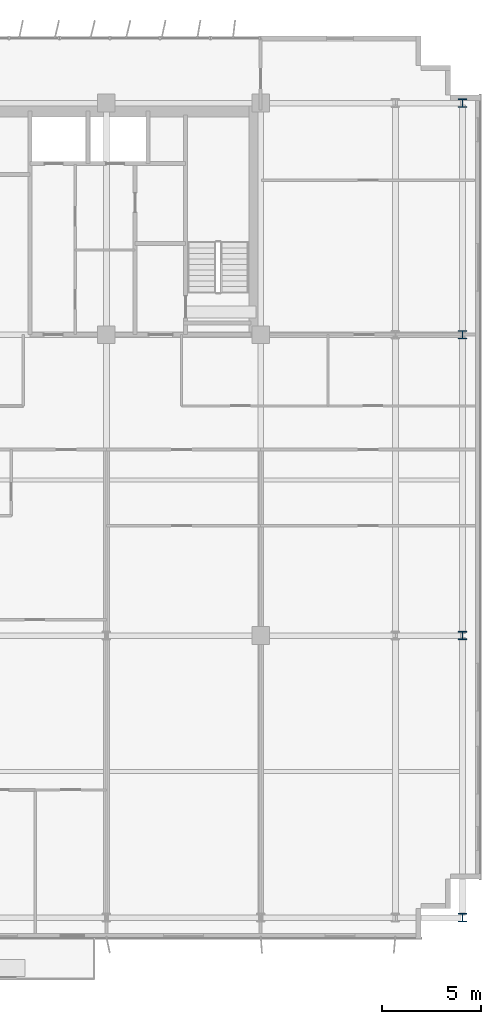
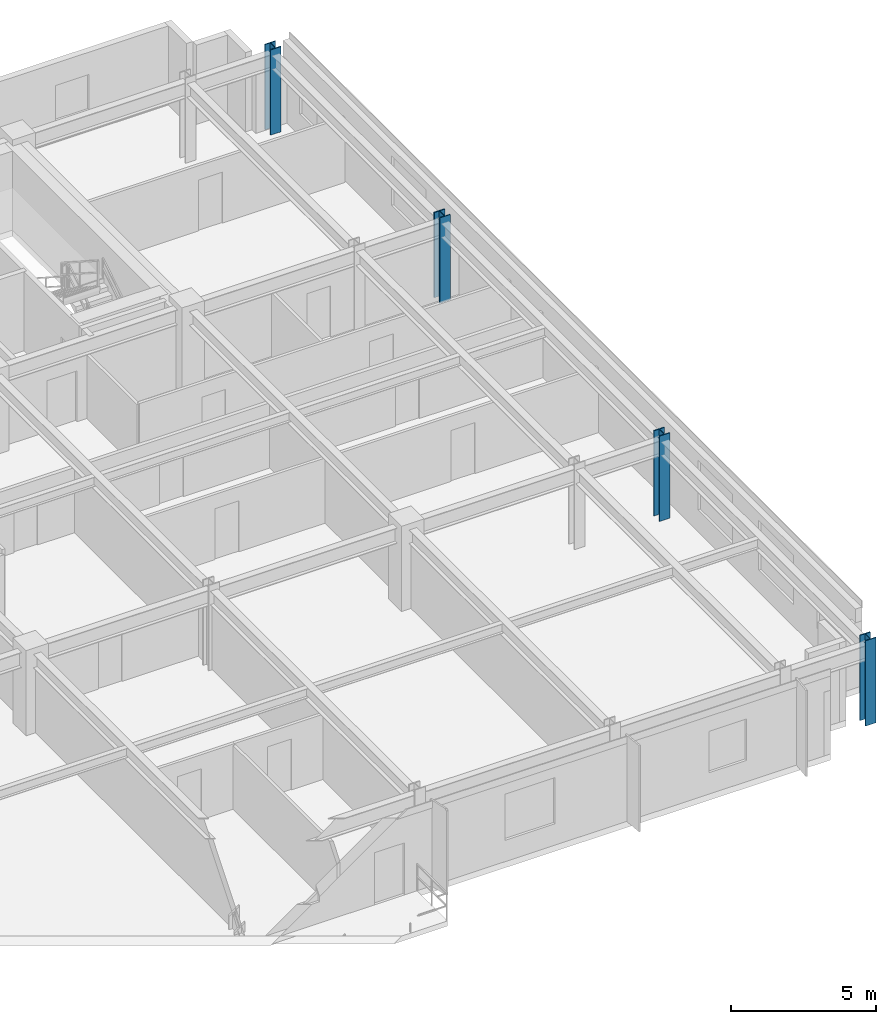
# One storey, part 3 of 25: 4 columns.
"""IFC4 building model written with IfcOpenShell, lengths in metres."""

import ifcopenshell
import ifcopenshell.guid

model = None  # the IFC model being written
_history = None  # IfcOwnerHistory: only IFC2X3 demands one
_inside = {}  # id of a spatial element -> (the spatial element, [elements in it])
_under = {}  # id of a project, library or spatial element -> (it, [spatial elements below it])
_declared = {}  # id of a project -> (the project, [libraries it declares])
_typed = {}  # id of a type object -> (the type object, [elements of that type])
_made_of = {}  # id of a material, layer set ... -> (it, [elements and type objects made of it])


def new_model(schema):
    """Start an empty IFC model of exactly this schema.

    Asked for "IFC4X3", IfcOpenShell would pick the latest addendum, in which some entities
    have other attributes; the version numbers below select the first issue.
    IFC2X3 requires an IfcOwnerHistory on every rooted entity: one is made here for all.
    """
    global model, _history
    if schema == "IFC4X3":
        model = ifcopenshell.file(schema_version=(4, 3, 0, 0))
    else:
        model = ifcopenshell.file(schema=schema)
    _inside.clear()
    _under.clear()
    _declared.clear()
    _typed.clear()
    _made_of.clear()
    _history = None
    if model.schema == "IFC2X3":
        org = make("IfcOrganization", Name="unknown")
        user = make(
            "IfcPersonAndOrganization",
            ThePerson=make("IfcPerson", FamilyName="unknown"),
            TheOrganization=org,
        )
        app = make(
            "IfcApplication",
            ApplicationDeveloper=org,
            Version="unknown",
            ApplicationFullName="unknown",
            ApplicationIdentifier="unknown",
        )
        _history = make(
            "IfcOwnerHistory",
            OwningUser=user,
            OwningApplication=app,
            ChangeAction="ADDED",
            CreationDate=0,
        )
    return model


def make(cls, **values):
    """One entity of the class cls with the attributes given. An attribute that is None is left unset."""
    return model.create_entity(
        cls, **{name: value for name, value in values.items() if value is not None}
    )


def rooted(cls, **values):
    """An entity with a GlobalId (a new one), such as an element, a storey or a relation."""
    return make(cls, GlobalId=ifcopenshell.guid.new(), OwnerHistory=_history, **values)


def si_unit(unit_type, name, prefix=None):
    """IfcSIUnit, for example si_unit("LENGTHUNIT", "METRE", prefix="MILLI")."""
    return make("IfcSIUnit", UnitType=unit_type, Prefix=prefix, Name=name)


def assignment(units):
    """IfcUnitAssignment: the units of a project."""
    return None if units is None else make("IfcUnitAssignment", Units=units)


def point(xyz):
    """IfcCartesianPoint."""
    return None if xyz is None else make("IfcCartesianPoint", Coordinates=xyz)


def direction(xyz):
    """IfcDirection."""
    return None if xyz is None else make("IfcDirection", DirectionRatios=xyz)


def frame(location, z_axis=None, x_axis=None):
    """IfcAxis2Placement3D, a coordinate frame: its origin and axes. An axis left out is left unset."""
    return make(
        "IfcAxis2Placement3D",
        Location=point(location),
        Axis=direction(z_axis),
        RefDirection=direction(x_axis),
    )


def frame_2d(location, x_axis=None):
    """IfcAxis2Placement2D, a coordinate frame in the plane: its origin and x axis."""
    return make(
        "IfcAxis2Placement2D", Location=point(location), RefDirection=direction(x_axis)
    )


def origin():
    """The frame at (0, 0, 0) with its axes left unset."""
    return frame((0.0, 0.0, 0.0))


def origin_2d():
    """The frame at (0, 0) in the plane with its x axis left unset."""
    return frame_2d((0.0, 0.0))


def place(relative_to, where):
    """IfcLocalPlacement: puts the frame where relative to a parent placement (None: the world)."""
    return make(
        "IfcLocalPlacement", PlacementRelTo=relative_to, RelativePlacement=where
    )


def context(
    kind, dimensions, precision=None, world=None, true_north=None, identifier=None
):
    """IfcGeometricRepresentationContext, for example the 3D "Model" context."""
    return make(
        "IfcGeometricRepresentationContext",
        ContextIdentifier=identifier,
        ContextType=kind,
        CoordinateSpaceDimension=dimensions,
        Precision=precision,
        WorldCoordinateSystem=world,
        TrueNorth=true_north,
    )


def subcontext(parent, identifier, kind, view, scale=None):
    """IfcGeometricRepresentationSubContext, for example "Body" below "Model"."""
    return make(
        "IfcGeometricRepresentationSubContext",
        ContextIdentifier=identifier,
        ContextType=kind,
        ParentContext=parent,
        TargetScale=scale,
        TargetView=view,
    )


def project(units=None, contexts=None):
    """IfcProject with its units and contexts."""
    return rooted(
        "IfcProject",
        Name="project",
        RepresentationContexts=contexts,
        UnitsInContext=assignment(units),
    )


def spatial(cls, under=None, at=None, **own):
    """A site, building, storey or space (cls), placed at a placement, below another one or the project."""
    s = rooted(cls, ObjectPlacement=at, **own)
    if under is not None:
        _under.setdefault(under.id(), (under, []))[1].append(s)
    return s


def profile(cls, at=None, kind="AREA", **sizes):
    """A parametric profile (cls). Its sizes go by their IFC names, for example OverallWidth=200.0."""
    return make(cls, ProfileType=kind, Position=at, **sizes)


def i_section(**sizes):
    """IfcIShapeProfileDef."""
    return profile("IfcIShapeProfileDef", **sizes)


def extrude(swept, where, along, depth):
    """IfcExtrudedAreaSolid: the profile swept, set in the frame where, extruded along a direction by depth."""
    return make(
        "IfcExtrudedAreaSolid",
        SweptArea=swept,
        Position=where,
        ExtrudedDirection=direction(along),
        Depth=depth,
    )


def shape(context_of_items, identifier, shape_type, items):
    """IfcShapeRepresentation: the items that make up one representation, for example the "Body"."""
    return make(
        "IfcShapeRepresentation",
        ContextOfItems=context_of_items,
        RepresentationIdentifier=identifier,
        RepresentationType=shape_type,
        Items=items,
    )


def source(mapping_origin, context_of_items, identifier, shape_type, items):
    """IfcRepresentationMap: a shape defined once, which mapped items show again and again."""
    return make(
        "IfcRepresentationMap",
        MappingOrigin=mapping_origin,
        MappedRepresentation=shape(context_of_items, identifier, shape_type, items),
    )


def transform(
    local_origin,
    x_axis=None,
    y_axis=None,
    z_axis=None,
    scale=None,
    scale2=None,
    scale3=None,
    uniform=True,
):
    """IfcCartesianTransformationOperator3D, or its non-uniform kind. x_axis, y_axis, z_axis: its Axis1, 2, 3."""
    if uniform:
        return make(
            "IfcCartesianTransformationOperator3D",
            Axis1=direction(x_axis),
            Axis2=direction(y_axis),
            LocalOrigin=point(local_origin),
            Scale=scale,
            Axis3=direction(z_axis),
        )
    return make(
        "IfcCartesianTransformationOperator3DnonUniform",
        Axis1=direction(x_axis),
        Axis2=direction(y_axis),
        LocalOrigin=point(local_origin),
        Scale=scale,
        Axis3=direction(z_axis),
        Scale2=scale2,
        Scale3=scale3,
    )


def mapped(mapping_source, mapping_target):
    """IfcMappedItem: shows the shape of a source again, moved by a transform."""
    return make(
        "IfcMappedItem", MappingSource=mapping_source, MappingTarget=mapping_target
    )


def material(Name=None, Category=None):
    """IfcMaterial."""
    return make("IfcMaterial", Name=Name, Category=Category)


def material_profile(
    of_material, cross_section, Name=None, Category=None, Priority=None
):
    """IfcMaterialProfile: a cross section and its material."""
    return make(
        "IfcMaterialProfile",
        Name=Name,
        Material=of_material,
        Profile=cross_section,
        Priority=Priority,
        Category=Category,
    )


def profile_set(profiles, Name=None, composite=None):
    """IfcMaterialProfileSet."""
    return make(
        "IfcMaterialProfileSet",
        Name=Name,
        MaterialProfiles=profiles,
        CompositeProfile=composite,
    )


def made_of(thing, what):
    """Note that an element or type object is made of a material, layer set ...; save() writes the relation."""
    if what is not None:
        _made_of.setdefault(what.id(), (what, []))[1].append(thing)
    return thing


def type_object(cls, material=None, **own):
    """A type object (cls), such as IfcWallType, which elements share."""
    return made_of(rooted(cls, **own), material)


def element(
    cls,
    number,
    at=None,
    inside=None,
    cuts=None,
    type_object=None,
    material=None,
    context=None,
    identifier="Body",
    shape_type=None,
    held_by="IfcProductDefinitionShape",
    body=None,
    shapes=None,
    **own,
):
    """One element of the class cls, such as IfcWall. Its Tag is "e" and its number.

    at: its placement. inside: the storey or other place that contains it. cuts: it is an
    opening in that element (IfcRelVoidsElement). A single representation is given by context,
    identifier, shape_type and body (its items); several are given by shapes. held_by: the class
    of the entity that holds the representations. save() writes the other relations.
    """
    e = rooted(cls, Tag="e%d" % number, ObjectPlacement=at, **own)
    if body is not None:
        shapes = [shape(context, identifier, shape_type, body)]
    if shapes is not None:
        e.Representation = make(held_by, Representations=shapes)
    if inside is not None:
        _inside.setdefault(inside.id(), (inside, []))[1].append(e)
    if cuts is not None:
        rooted(
            "IfcRelVoidsElement", RelatingBuildingElement=cuts, RelatedOpeningElement=e
        )
    if type_object is not None:
        _typed.setdefault(type_object.id(), (type_object, []))[1].append(e)
    return made_of(e, material)


def aggregate(whole, parts):
    """IfcRelAggregates: a whole, such as a stair, and the parts it consists of."""
    return rooted("IfcRelAggregates", RelatingObject=whole, RelatedObjects=parts)


def save(model, path):
    """Write the relations noted so far, then the file.

    IfcRelAggregates (storeys below a building ...), IfcRelContainedInSpatialStructure (elements
    in a storey), IfcRelDefinesByType, IfcRelAssociatesMaterial and IfcRelDeclares: one each for
    every whole, place, type object, material and project.
    """
    for whole, parts in _under.values():
        aggregate(whole, parts)
    for where, things in _inside.values():
        rooted(
            "IfcRelContainedInSpatialStructure",
            RelatedElements=things,
            RelatingStructure=where,
        )
    for kind, things in _typed.values():
        rooted("IfcRelDefinesByType", RelatedObjects=things, RelatingType=kind)
    for what, things in _made_of.values():
        rooted("IfcRelAssociatesMaterial", RelatedObjects=things, RelatingMaterial=what)
    for by, libraries in _declared.values():
        rooted("IfcRelDeclares", RelatingContext=by, RelatedDefinitions=libraries)
    model.write(path)


model = new_model("IFC4")

# Units and contexts
model_context = context("Model", 3, precision=1e-05, world=origin(), true_north=direction((0.0, 1.0)))
body_context = subcontext(model_context, "Body", "Model", "MODEL_VIEW")
ifc_project = project(units=[si_unit("LENGTHUNIT", "METRE"), si_unit("AREAUNIT", "SQUARE_METRE"), si_unit("VOLUMEUNIT", "CUBIC_METRE"), si_unit("PLANEANGLEUNIT", "RADIAN"), si_unit("MASSUNIT", "GRAM", prefix="KILO")], contexts=[model_context])

# Site, building, storey
site_placement = place(None, origin())
site = spatial("IfcSite", under=ifc_project, at=site_placement, CompositionType="ELEMENT")
building_placement = place(site_placement, origin())
building = spatial("IfcBuilding", under=site, at=building_placement, Name="Trelvane Seafront Commons", CompositionType="ELEMENT")
storey_placement = place(building_placement, frame((0.0, 0.0, 66.699951171875)))
storey = spatial("IfcBuildingStorey", under=building, at=storey_placement, Name="L17", CompositionType="ELEMENT", Elevation=66.699951171875)

# Columns
ifc_material = material(Name="Steel SM355 (S355)", Category="steel")
ifc_material_profile = material_profile(ifc_material, i_section(OverallWidth=0.419921875, OverallDepth=0.419921875, WebThickness=0.02587890625, FlangeThickness=0.0400390625, at=origin_2d()), Name="HD-420x420x26x40")
ifc_profile_set = profile_set([ifc_material_profile], Name="Steel SM355 (S355)")
column_type = type_object("IfcColumnType", Name="STR-COL-HD420", PredefinedType="COLUMN", material=ifc_profile_set)
shared_shape = source(origin(), body_context, "Body", "SweptSolid", [
    extrude(i_section(OverallWidth=0.419921875, OverallDepth=0.419921875, WebThickness=0.02587890625, FlangeThickness=0.0400390625, at=origin_2d()), origin(), (0.0, 0.0, 1.0), 3.60009765625),
])
for number, where, z_axis, x_axis, name in (
    (1, (69.0, 3.949951171875, 0.0), (0.0, 0.0, 1.0), (1.0, 0.0, 0.0), "L17 Column TC-S69.0"),
    (2, (69.0, 18.199951171875, 0.0), (0.0, 0.0, 1.0), (1.0, 0.0, 0.0), "L17 Column TC-M69.0"),
    (3, (69.0, 33.39990234375, 0.0), (0.0, 0.0, 1.0), (1.0, 0.0, 0.0), "L17 Column TC-CS69.0"),
    (4, (69.0, 45.10009765625, 0.0), (0.0, 0.0, 1.0), (1.0, 0.0, 0.0), "L17 Column TC-CN69.0"),
):
    element("IfcColumn", number, at=place(storey_placement, frame(where, z_axis=z_axis, x_axis=x_axis)), inside=storey, type_object=column_type, Name=name, PredefinedType="COLUMN", context=body_context, shape_type="MappedRepresentation", body=[
        mapped(shared_shape, transform((0.0, 0.0, 0.0), x_axis=(1.0, 0.0, 0.0), y_axis=(0.0, 1.0, 0.0), z_axis=(0.0, 0.0, 1.0), scale=1.0)),
    ])

save(model, "model.ifc")
